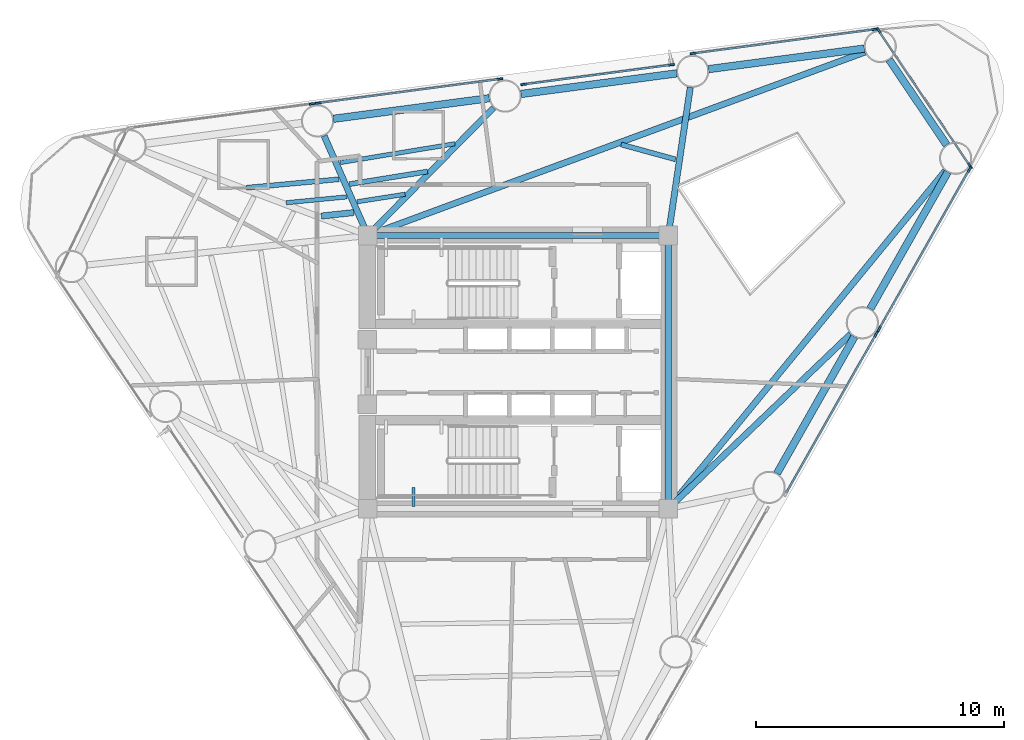
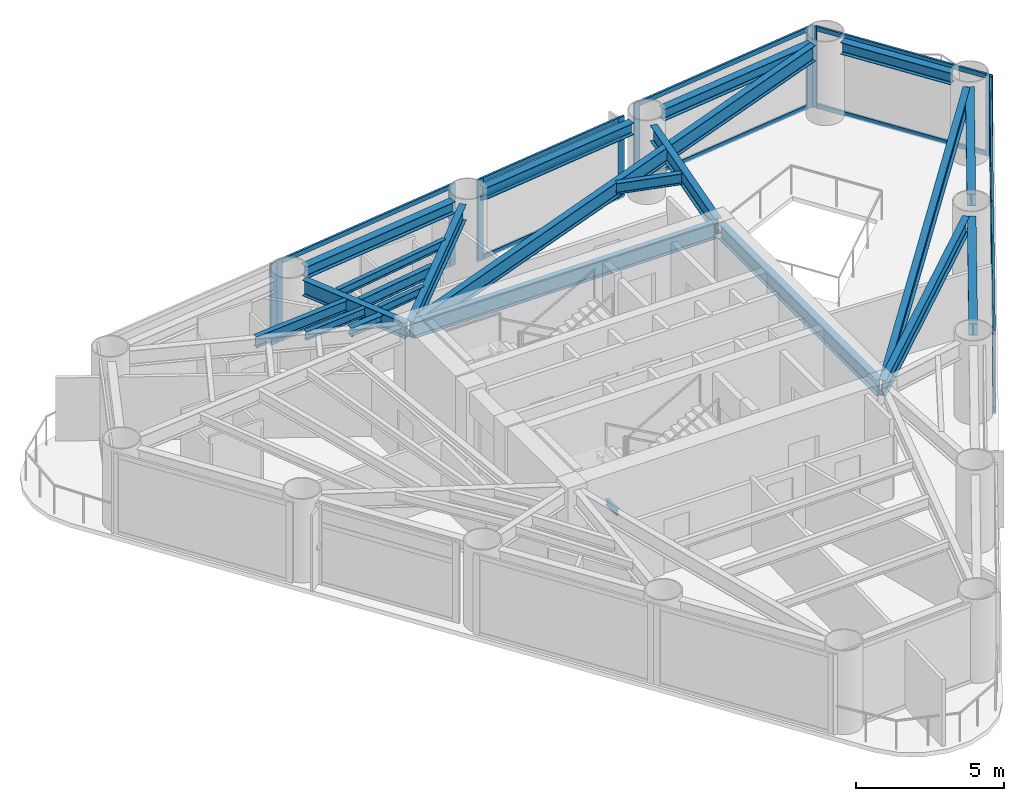
# One storey, part 3 of 9: 25 members, 22 beams, 7 elements without a shape of their own.
"""IFC4 building model written with IfcOpenShell, lengths in metres."""

from ifc_helpers import new_model, si_unit, direction, frame, origin, origin_2d, place, context, subcontext, project, spatial, rectangle, i_section, extrude, source, transform, mapped, material, layer, layer_set, material_profile, profile_set, type_object, element, aggregate, save


model = new_model("IFC4")

# Units and contexts
model_context = context("Model", 3, precision=1e-05, world=origin(), true_north=direction((0.0, 1.0)))
body_context = subcontext(model_context, "Body", "Model", "MODEL_VIEW")
ifc_project = project(units=[si_unit("LENGTHUNIT", "METRE"), si_unit("AREAUNIT", "SQUARE_METRE"), si_unit("VOLUMEUNIT", "CUBIC_METRE"), si_unit("PLANEANGLEUNIT", "RADIAN"), si_unit("MASSUNIT", "GRAM", prefix="KILO")], contexts=[model_context])

# Site, building, storey
site_placement = place(None, origin())
site = spatial("IfcSite", under=ifc_project, at=site_placement, CompositionType="ELEMENT")
building_placement = place(site_placement, origin())
building = spatial("IfcBuilding", under=site, at=building_placement, Name="Yunling Apex Tower", CompositionType="ELEMENT")
storey_placement = place(building_placement, frame((0.0, 0.0, 176.0)))
storey = spatial("IfcBuildingStorey", under=building, at=storey_placement, Name="L43", CompositionType="ELEMENT", Elevation=176.0)

# Beams
ifc_material_1 = material(Name="Steel Q355B", Category="steel")
ifc_material_profile_1 = material_profile(ifc_material_1, i_section(OverallWidth=0.125, OverallDepth=0.25, WebThickness=0.006103515625, FlangeThickness=0.009033203125, FilletRadius=0.011962890625, at=origin_2d()))
ifc_profile_set_1 = profile_set([ifc_material_profile_1], Name="Steel Q355B")
beam_type_1 = type_object("IfcBeamType", Name="BL-LNT-1", PredefinedType="LINTEL", material=ifc_profile_set_1)
shared_shape_1 = source(origin(), body_context, "Body", "SweptSolid", [
    extrude(i_section(OverallWidth=0.125, OverallDepth=0.25, WebThickness=0.006103515625, FlangeThickness=0.009033203125, FilletRadius=0.011962890625, at=origin_2d()), origin(), (0.0, 0.0, 1.0), 0.760009765625),
])
beam_1_placement = place(storey_placement, frame((-4.205078125, -5.419921875, 1.405029296875), z_axis=(0.0, 1.0, 0.0), x_axis=(-1.0, 0.0, 0.0)))
element("IfcBeam", 1, at=beam_1_placement, inside=storey, type_object=beam_type_1, Name="L43 ST-2 Landing Bearing Corbel 1-3", PredefinedType="LINTEL", context=body_context, shape_type="MappedRepresentation", body=[
    mapped(shared_shape_1, transform((0.0, 0.0, 0.0), scale=1.0)),
])
ifc_material_profile_2 = material_profile(ifc_material_1, i_section(OverallWidth=0.25, OverallDepth=0.64990234375, WebThickness=0.011962890625, FlangeThickness=0.02001953125, FilletRadius=0.02392578125, at=origin_2d()))
ifc_profile_set_2 = profile_set([ifc_material_profile_2], Name="Steel Q355B")
beam_type_2 = type_object("IfcBeamType", Name="BG-PRI-4", PredefinedType="USERDEFINED", material=ifc_profile_set_2)
shared_shape_2 = source(origin(), body_context, "Body", "SweptSolid", [
    extrude(i_section(OverallWidth=0.25, OverallDepth=0.64990234375, WebThickness=0.011962890625, FlangeThickness=0.02001953125, FilletRadius=0.02392578125, at=origin_2d()), origin(), (0.0, 0.0, 1.0), 11.7998046875),
])
beam_2_placement = place(storey_placement, frame((5.89990234375, 5.5, 2.945068359375), z_axis=(-1.0, 0.0, 0.0), x_axis=(0.0, -1.0, 0.0)))
element("IfcBeam", 2, at=beam_2_placement, inside=storey, type_object=beam_type_2, Name="L43 Core Ring Tie Beam 3", ObjectType="GIRDER", PredefinedType="USERDEFINED", context=body_context, shape_type="MappedRepresentation", body=[
    mapped(shared_shape_2, transform((0.0, 0.0, 0.0), scale=1.0)),
])
shared_shape_3 = source(origin(), body_context, "Body", "SweptSolid", [
    extrude(i_section(OverallWidth=0.25, OverallDepth=0.64990234375, WebThickness=0.011962890625, FlangeThickness=0.02001953125, FilletRadius=0.02392578125, at=origin_2d()), origin(), (0.0, 0.0, 1.0), 10.7001953125),
])
beam_3_placement = place(storey_placement, frame((6.050048828125, -5.35009765625, 2.945068359375), z_axis=(0.0, 1.0, 0.0), x_axis=(-1.0, 0.0, 0.0)))
element("IfcBeam", 3, at=beam_3_placement, inside=storey, type_object=beam_type_2, Name="L43 Core Ring Tie Beam 2", ObjectType="GIRDER", PredefinedType="USERDEFINED", context=body_context, shape_type="MappedRepresentation", body=[
    mapped(shared_shape_3, transform((0.0, 0.0, 0.0), scale=1.0)),
])
ifc_material_profile_3 = material_profile(ifc_material_1, i_section(OverallWidth=0.300048828125, OverallDepth=0.489990234375, WebThickness=0.010986328125, FlangeThickness=0.01806640625, FilletRadius=0.02197265625, at=origin_2d()))
ifc_profile_set_3 = profile_set([ifc_material_profile_3], Name="Steel Q355B")
beam_type_3 = type_object("IfcBeamType", Name="BP-SPN-2", PredefinedType="SPANDREL", material=ifc_profile_set_3)
shared_shape_4 = source(origin(), body_context, "Body", "SweptSolid", [
    extrude(i_section(OverallWidth=0.300048828125, OverallDepth=0.489990234375, WebThickness=0.010986328125, FlangeThickness=0.01806640625, FilletRadius=0.02197265625, at=origin_2d()), origin(), (0.0, 0.0, 1.0), 6.332763671875),
])
beam_4_placement = place(storey_placement, frame((10.426513671875, -4.087646484375, 3.02490234375), z_axis=(0.493042725972, 0.870005097897, 0.0), x_axis=(-0.870005097897, 0.493042725972, 0.0)))
element("IfcBeam", 4, at=beam_4_placement, inside=storey, type_object=beam_type_3, Name="L43 Perimeter Spandrel Beam 3", PredefinedType="SPANDREL", context=body_context, shape_type="MappedRepresentation", body=[
    mapped(shared_shape_4, transform((0.0, 0.0, 0.0), scale=1.0)),
])
shared_shape_5 = source(origin(), body_context, "Body", "SweptSolid", [
    extrude(i_section(OverallWidth=0.300048828125, OverallDepth=0.489990234375, WebThickness=0.010986328125, FlangeThickness=0.01806640625, FilletRadius=0.02197265625, at=origin_2d()), origin(), (0.0, 0.0, 1.0), 6.33251953125),
])
for number, where, z_axis, x_axis, name in (
    (5, (14.183837890625, 2.54248046875, 3.02490234375), (0.493030081742, 0.870012263418, 0.0), (-0.870012263418, 0.493030081742, 0.0), "L43 Perimeter Spandrel Beam 4"),
    (6, (13.948486328125, 13.029541015625, 3.02490234375), (-0.991351373324, -0.131234349957, 0.0), (0.131234349957, -0.991351373324, 0.0), "L43 Perimeter Spandrel Beam 6"),
    (7, (6.393798828125, 12.029541015625, 3.02490234375), (-0.991351373324, -0.131234349957, 0.0), (0.131234349957, -0.991351373324, 0.0), "L43 Perimeter Spandrel Beam 7"),
    (8, (-1.160888671875, 11.029541015625, 3.02490234375), (-0.991356388343, -0.131196460665, 0.0), (0.131196460665, -0.991356388343, 0.0), "L43 Perimeter Spandrel Beam 8"),
):
    element("IfcBeam", number, at=place(storey_placement, frame(where, z_axis=z_axis, x_axis=x_axis)), inside=storey, type_object=beam_type_3, Name=name, PredefinedType="SPANDREL", context=body_context, shape_type="MappedRepresentation", body=[
        mapped(shared_shape_5, transform((0.0, 0.0, 0.0), scale=1.0)),
    ])
shared_shape_6 = source(origin(), body_context, "Body", "SweptSolid", [
    extrude(i_section(OverallWidth=0.300048828125, OverallDepth=0.489990234375, WebThickness=0.010986328125, FlangeThickness=0.01806640625, FilletRadius=0.02197265625, at=origin_2d()), origin(), (0.0, 0.0, 1.0), 4.142333984375),
])
beam_5_placement = place(storey_placement, frame((17.263427734375, 9.14599609375, 3.02490234375), z_axis=(-0.559207616177, 0.829027648519, 0.0), x_axis=(-0.829027648519, -0.559207616177, 0.0)))
element("IfcBeam", 9, at=beam_5_placement, inside=storey, type_object=beam_type_3, Name="L43 Perimeter Spandrel Beam 5", PredefinedType="SPANDREL", context=body_context, shape_type="MappedRepresentation", body=[
    mapped(shared_shape_6, transform((0.0, 0.0, 0.0), scale=1.0)),
])
shared_shape_7 = source(origin(), body_context, "Body", "SweptSolid", [
    extrude(i_section(OverallWidth=0.25, OverallDepth=0.64990234375, WebThickness=0.011962890625, FlangeThickness=0.02001953125, FilletRadius=0.02392578125, at=origin_2d()), origin(), (0.0, 0.0, 1.0), 10.08203125),
])
beam_6_placement = place(storey_placement, frame((13.39111328125, 1.527099609375, 2.945068359375), z_axis=(-0.722387273854, -0.691488703143, 0.0), x_axis=(0.691488703143, -0.722387273854, 0.0)))
element("IfcBeam", 10, at=beam_6_placement, inside=storey, type_object=beam_type_2, Name="L43 Radial Primary Girder R04", ObjectType="GIRDER", PredefinedType="USERDEFINED", context=body_context, shape_type="MappedRepresentation", body=[
    mapped(shared_shape_7, transform((0.0, 0.0, 0.0), scale=1.0)),
])
shared_shape_8 = source(origin(), body_context, "Body", "SweptSolid", [
    extrude(i_section(OverallWidth=0.25, OverallDepth=0.64990234375, WebThickness=0.011962890625, FlangeThickness=0.02001953125, FilletRadius=0.02392578125, at=origin_2d()), origin(), (0.0, 0.0, 1.0), 17.512939453125),
])
beam_7_placement = place(storey_placement, frame((17.206298828125, 8.103271484375, 2.945068359375), z_axis=(-0.634143770781, -0.773215156331, 0.0), x_axis=(0.773215156331, -0.634143770781, 0.0)))
element("IfcBeam", 11, at=beam_7_placement, inside=storey, type_object=beam_type_2, Name="L43 Radial Primary Girder R05", ObjectType="GIRDER", PredefinedType="USERDEFINED", context=body_context, shape_type="MappedRepresentation", body=[
    mapped(shared_shape_8, transform((0.0, 0.0, 0.0), scale=1.0)),
])
shared_shape_9 = source(origin(), body_context, "Body", "SweptSolid", [
    extrude(i_section(OverallWidth=0.25, OverallDepth=0.64990234375, WebThickness=0.011962890625, FlangeThickness=0.02001953125, FilletRadius=0.02392578125, at=origin_2d()), origin(), (0.0, 0.0, 1.0), 21.258544921875),
])
beam_8_placement = place(storey_placement, frame((13.969482421875, 12.88623046875, 2.945068359375), z_axis=(-0.938179289615, -0.346149708274, 0.0), x_axis=(0.346149708274, -0.938179289615, 0.0)))
element("IfcBeam", 12, at=beam_8_placement, inside=storey, type_object=beam_type_2, Name="L43 Radial Primary Girder R06", ObjectType="GIRDER", PredefinedType="USERDEFINED", context=body_context, shape_type="MappedRepresentation", body=[
    mapped(shared_shape_9, transform((0.0, 0.0, 0.0), scale=1.0)),
])
shared_shape_10 = source(origin(), body_context, "Body", "SweptSolid", [
    extrude(i_section(OverallWidth=0.25, OverallDepth=0.64990234375, WebThickness=0.011962890625, FlangeThickness=0.02001953125, FilletRadius=0.02392578125, at=origin_2d()), origin(), (0.0, 0.0, 1.0), 5.948486328125),
])
beam_9_placement = place(storey_placement, frame((6.935546875, 11.463134765625, 2.945068359375), z_axis=(-0.146889273353, -0.989152941346, 0.0), x_axis=(0.989152941346, -0.146889273353, 0.0)))
element("IfcBeam", 13, at=beam_9_placement, inside=storey, type_object=beam_type_2, Name="L43 Radial Primary Girder R07", ObjectType="GIRDER", PredefinedType="USERDEFINED", context=body_context, shape_type="MappedRepresentation", body=[
    mapped(shared_shape_10, transform((0.0, 0.0, 0.0), scale=1.0)),
])
shared_shape_11 = source(origin(), body_context, "Body", "SweptSolid", [
    extrude(i_section(OverallWidth=0.25, OverallDepth=0.64990234375, WebThickness=0.011962890625, FlangeThickness=0.02001953125, FilletRadius=0.02392578125, at=origin_2d()), origin(), (0.0, 0.0, 1.0), 7.140625),
])
beam_10_placement = place(storey_placement, frame((-0.984130859375, 10.645263671875, 2.945068359375), z_axis=(-0.701580749748, -0.712589960344, 0.0), x_axis=(0.712589960344, -0.701580749748, 0.0)))
element("IfcBeam", 14, at=beam_10_placement, inside=storey, type_object=beam_type_2, Name="L43 Radial Primary Girder R08", ObjectType="GIRDER", PredefinedType="USERDEFINED", context=body_context, shape_type="MappedRepresentation", body=[
    mapped(shared_shape_11, transform((0.0, 0.0, 0.0), scale=1.0)),
])
shared_shape_12 = source(origin(), body_context, "Body", "SweptSolid", [
    extrude(i_section(OverallWidth=0.25, OverallDepth=0.64990234375, WebThickness=0.011962890625, FlangeThickness=0.02001953125, FilletRadius=0.02392578125, at=origin_2d()), origin(), (0.0, 0.0, 1.0), 4.3017578125),
])
beam_11_placement = place(storey_placement, frame((-7.8125, 9.51171875, 2.945068359375), z_axis=(0.402211714237, -0.915546687466, 0.0), x_axis=(0.915546687466, 0.402211714237, 0.0)))
element("IfcBeam", 15, at=beam_11_placement, inside=storey, type_object=beam_type_2, Name="L43 Radial Primary Girder R09", ObjectType="GIRDER", PredefinedType="USERDEFINED", context=body_context, shape_type="MappedRepresentation", body=[
    mapped(shared_shape_12, transform((0.0, 0.0, 0.0), scale=1.0)),
])
ifc_material_profile_4 = material_profile(ifc_material_1, i_section(OverallWidth=0.199951171875, OverallDepth=0.449951171875, WebThickness=0.009033203125, FlangeThickness=0.013916015625, FilletRadius=0.01806640625, at=origin_2d()))
ifc_profile_set_4 = profile_set([ifc_material_profile_4], Name="Steel Q355B")
beam_type_4 = type_object("IfcBeamType", Name="BS-SEC-3", PredefinedType="BEAM", material=ifc_profile_set_4)
shared_shape_13 = source(origin(), body_context, "Body", "SweptSolid", [
    extrude(i_section(OverallWidth=0.199951171875, OverallDepth=0.449951171875, WebThickness=0.009033203125, FlangeThickness=0.013916015625, FilletRadius=0.01806640625, at=origin_2d()), origin(), (0.0, 0.0, 1.0), 2.2734375),
])
beam_12_placement = place(storey_placement, frame((4.151611328125, 9.16455078125, 3.044921875), z_axis=(0.964418538673, -0.264380185081, 0.0), x_axis=(0.264380185081, 0.964418538673, 0.0)))
element("IfcBeam", 16, at=beam_12_placement, inside=storey, type_object=beam_type_4, Name="L43 Composite Floor Beam BS-6", PredefinedType="BEAM", context=body_context, shape_type="MappedRepresentation", body=[
    mapped(shared_shape_13, transform((0.0, 0.0, 0.0), scale=1.0)),
])
shared_shape_14 = source(origin(), body_context, "Body", "SweptSolid", [
    extrude(i_section(OverallWidth=0.199951171875, OverallDepth=0.449951171875, WebThickness=0.009033203125, FlangeThickness=0.013916015625, FilletRadius=0.01806640625, at=origin_2d()), origin(), (0.0, 0.0, 1.0), 3.18310546875),
])
beam_13_placement = place(storey_placement, frame((-3.64697265625, 8.07568359375, 3.044921875), z_axis=(-0.987204533881, -0.159459111642, 0.0), x_axis=(0.159459111642, -0.987204533881, 0.0)))
element("IfcBeam", 17, at=beam_13_placement, inside=storey, type_object=beam_type_4, Name="L43 Composite Floor Beam BS-8", PredefinedType="BEAM", context=body_context, shape_type="MappedRepresentation", body=[
    mapped(shared_shape_14, transform((0.0, 0.0, 0.0), scale=1.0)),
])
ifc_material_profile_5 = material_profile(ifc_material_1, i_section(OverallWidth=0.175048828125, OverallDepth=0.35009765625, WebThickness=0.007080078125, FlangeThickness=0.010986328125, FilletRadius=0.013916015625, at=origin_2d()))
ifc_profile_set_5 = profile_set([ifc_material_profile_5], Name="Steel Q355B")
beam_type_5 = type_object("IfcBeamType", Name="BJ-JST-1", PredefinedType="JOIST", material=ifc_profile_set_5)
shared_shape_15 = source(origin(), body_context, "Body", "SweptSolid", [
    extrude(i_section(OverallWidth=0.175048828125, OverallDepth=0.35009765625, WebThickness=0.007080078125, FlangeThickness=0.010986328125, FilletRadius=0.013916015625, at=origin_2d()), origin(), (0.0, 0.0, 1.0), 4.6875),
])
beam_14_placement = place(storey_placement, frame((-2.544677734375, 9.194580078125, 3.094970703125), z_axis=(-0.986776909696, -0.162084331414, 0.0), x_axis=(0.162084331414, -0.986776909696, 0.0)))
element("IfcBeam", 18, at=beam_14_placement, inside=storey, type_object=beam_type_5, Name="L43 Composite Floor Joist BJ1-8", PredefinedType="JOIST", context=body_context, shape_type="MappedRepresentation", body=[
    mapped(shared_shape_15, transform((0.0, 0.0, 0.0), scale=1.0)),
])
shared_shape_16 = source(origin(), body_context, "Body", "SweptSolid", [
    extrude(i_section(OverallWidth=0.175048828125, OverallDepth=0.35009765625, WebThickness=0.007080078125, FlangeThickness=0.010986328125, FilletRadius=0.013916015625, at=origin_2d()), origin(), (0.0, 0.0, 1.0), 1.952392578125),
])
beam_15_placement = place(storey_placement, frame((-4.548828125, 7.160400390625, 3.094970703125), z_axis=(-0.98796490296, -0.154678216044, 0.0), x_axis=(0.154678216044, -0.98796490296, 0.0)))
element("IfcBeam", 19, at=beam_15_placement, inside=storey, type_object=beam_type_5, Name="L43 Composite Floor Joist BJ3-8", PredefinedType="JOIST", context=body_context, shape_type="MappedRepresentation", body=[
    mapped(shared_shape_16, transform((0.0, 0.0, 0.0), scale=1.0)),
])
shared_shape_17 = source(origin(), body_context, "Body", "SweptSolid", [
    extrude(i_section(OverallWidth=0.199951171875, OverallDepth=0.449951171875, WebThickness=0.009033203125, FlangeThickness=0.013916015625, FilletRadius=0.01806640625, at=origin_2d()), origin(), (0.0, 0.0, 1.0), 3.749755859375),
])
beam_16_placement = place(storey_placement, frame((-7.21044921875, 7.76416015625, 3.044921875), z_axis=(-0.995801444966, -0.091539511711, 0.0), x_axis=(0.091539511711, -0.995801444966, 0.0)))
element("IfcBeam", 20, at=beam_16_placement, inside=storey, type_object=beam_type_4, Name="L43 Composite Floor Beam BS-9", PredefinedType="BEAM", context=body_context, shape_type="MappedRepresentation", body=[
    mapped(shared_shape_17, transform((0.0, 0.0, 0.0), scale=1.0)),
])
shared_shape_18 = source(origin(), body_context, "Body", "SweptSolid", [
    extrude(i_section(OverallWidth=0.175048828125, OverallDepth=0.35009765625, WebThickness=0.007080078125, FlangeThickness=0.010986328125, FilletRadius=0.013916015625, at=origin_2d()), origin(), (0.0, 0.0, 1.0), 2.456787109375),
])
beam_17_placement = place(storey_placement, frame((-6.89892578125, 7.054443359375, 3.094970703125), z_axis=(-0.995362299538, -0.096197155147, 0.0), x_axis=(0.096197155147, -0.995362299538, 0.0)))
element("IfcBeam", 21, at=beam_17_placement, inside=storey, type_object=beam_type_5, Name="L43 Composite Floor Joist BJ3-9", PredefinedType="JOIST", context=body_context, shape_type="MappedRepresentation", body=[
    mapped(shared_shape_18, transform((0.0, 0.0, 0.0), scale=1.0)),
])
ifc_material_profile_6 = material_profile(ifc_material_1, i_section(OverallWidth=0.25, OverallDepth=0.340087890625, WebThickness=0.009033203125, FlangeThickness=0.013916015625, FilletRadius=0.01806640625, at=origin_2d()))
ifc_profile_set_6 = profile_set([ifc_material_profile_6], Name="Steel Q355B")
beam_type_6 = type_object("IfcBeamType", Name="BJ-JST-2", PredefinedType="JOIST", material=ifc_profile_set_6)
shared_shape_19 = source(origin(), body_context, "Body", "SweptSolid", [
    extrude(i_section(OverallWidth=0.25, OverallDepth=0.340087890625, WebThickness=0.009033203125, FlangeThickness=0.013916015625, FilletRadius=0.01806640625, at=origin_2d()), origin(), (0.0, 0.0, 1.0), 1.307373046875),
])
beam_18_placement = place(storey_placement, frame((-6.6220703125, 6.422607421875, 3.10009765625), z_axis=(-0.994297843948, -0.106638630521, 0.0), x_axis=(0.106638630521, -0.994297843948, 0.0)))
element("IfcBeam", 22, at=beam_18_placement, inside=storey, type_object=beam_type_6, Name="L43 Composite Floor Joist BJ2-9", PredefinedType="JOIST", context=body_context, shape_type="MappedRepresentation", body=[
    mapped(shared_shape_19, transform((0.0, 0.0, 0.0), scale=1.0)),
])

# Curtain wall, member
ifc_material_2 = material(Name="Bronze anodised aluminium", Category="aluminium")
ifc_layer = layer(ifc_material_2, 0.239990234375)
ifc_layer_set = layer_set([ifc_layer], Name="Bronze anodised aluminium")
curtain_wall_type = type_object("IfcCurtainWallType", Name="CW-SYS-3", PredefinedType="NOTDEFINED", material=ifc_layer_set)
curtain_wall_1_placement = place(storey_placement, origin())
curtain_wall_1 = element("IfcCurtainWall", 23, at=curtain_wall_1_placement, inside=storey, type_object=curtain_wall_type, Name="CW-L43-F1-B3", PredefinedType="NOTDEFINED")
ifc_material_profile_7 = material_profile(ifc_material_2, rectangle(XDim=0.080078125, YDim=0.239990234375, at=origin_2d()))
ifc_profile_set_7 = profile_set([ifc_material_profile_7], Name="Bronze anodised aluminium")
member_type_1 = type_object("IfcMemberType", Name="CW-MUL-3", PredefinedType="MULLION", material=ifc_profile_set_7)
shared_shape_20 = source(origin(), body_context, "Body", "SweptSolid", [
    extrude(rectangle(XDim=0.080078125, YDim=0.239990234375, at=origin_2d()), origin(), (0.0, 0.0, 1.0), 3.3701171875),
])
member_1_placement = place(storey_placement, frame((14.4248046875, 1.527587890625, -0.050048828125), z_axis=(0.0, 0.0, 1.0), x_axis=(-0.870009345679, 0.493035230416, 0.0)))
member_1 = element("IfcMember", 24, at=member_1_placement, type_object=member_type_1, Name="CW-SYS-3 mullion 2", PredefinedType="MULLION", context=body_context, shape_type="MappedRepresentation", body=[
    mapped(shared_shape_20, transform((0.0, 0.0, 0.0), scale=1.0)),
])

# Curtain wall, members
curtain_wall_2_placement = place(storey_placement, origin())
curtain_wall_2 = element("IfcCurtainWall", 25, at=curtain_wall_2_placement, inside=storey, type_object=curtain_wall_type, Name="CW-L43-F1-B4", PredefinedType="NOTDEFINED")
member_2_placement = place(storey_placement, frame((14.543212890625, 1.736572265625, -0.050048828125), z_axis=(0.0, 0.0, 1.0), x_axis=(-0.870006087438, 0.493040979859, 0.0)))
member_2 = element("IfcMember", 26, at=member_2_placement, type_object=member_type_1, Name="CW-SYS-3 mullion 1", PredefinedType="MULLION", context=body_context, shape_type="MappedRepresentation", body=[
    mapped(shared_shape_20, transform((0.0, 0.0, 0.0), scale=1.0)),
])
member_3_placement = place(storey_placement, frame((18.18212890625, 8.15771484375, -0.050048828125), z_axis=(0.0, 0.0, 1.0), x_axis=(-0.870006087438, 0.493040979859, 0.0)))
member_3 = element("IfcMember", 27, at=member_3_placement, type_object=member_type_1, Name="CW-SYS-3 mullion 2", PredefinedType="MULLION", context=body_context, shape_type="MappedRepresentation", body=[
    mapped(shared_shape_20, transform((0.0, 0.0, 0.0), scale=1.0)),
])

curtain_wall_3_placement = place(storey_placement, origin())
curtain_wall_3 = element("IfcCurtainWall", 28, at=curtain_wall_3_placement, inside=storey, type_object=curtain_wall_type, Name="CW-L43-CRN1", PredefinedType="NOTDEFINED")
member_4_placement = place(storey_placement, frame((18.201416015625, 8.30517578125, -0.050048828125), z_axis=(0.0, 0.0, 1.0), x_axis=(-0.829037677921, -0.559192747259, 0.0)))
member_4 = element("IfcMember", 29, at=member_4_placement, type_object=member_type_1, Name="CW-SYS-3 mullion 1", PredefinedType="MULLION", context=body_context, shape_type="MappedRepresentation", body=[
    mapped(shared_shape_20, transform((0.0, 0.0, 0.0), scale=1.0)),
])
member_5_placement = place(storey_placement, frame((14.518798828125, 13.764892578125, -0.050048828125), z_axis=(0.0, 0.0, 1.0), x_axis=(-0.829037677921, -0.559192747259, 0.0)))
member_5 = element("IfcMember", 30, at=member_5_placement, type_object=member_type_1, Name="CW-SYS-3 mullion 2", PredefinedType="MULLION", context=body_context, shape_type="MappedRepresentation", body=[
    mapped(shared_shape_20, transform((0.0, 0.0, 0.0), scale=1.0)),
])

curtain_wall_4_placement = place(storey_placement, origin())
curtain_wall_4 = element("IfcCurtainWall", 31, at=curtain_wall_4_placement, inside=storey, type_object=curtain_wall_type, Name="CW-L43-F2-B1", PredefinedType="NOTDEFINED")
member_6_placement = place(storey_placement, frame((14.374755859375, 13.80224609375, -0.050048828125), z_axis=(0.0, 0.0, 1.0), x_axis=(0.131222473138, -0.991352945496, 0.0)))
member_6 = element("IfcMember", 32, at=member_6_placement, type_object=member_type_1, Name="CW-SYS-3 mullion 1", PredefinedType="MULLION", context=body_context, shape_type="MappedRepresentation", body=[
    mapped(shared_shape_20, transform((0.0, 0.0, 0.0), scale=1.0)),
])
member_7_placement = place(storey_placement, frame((7.05810546875, 12.833740234375, -0.050048828125), z_axis=(0.0, 0.0, 1.0), x_axis=(0.131222473138, -0.991352945496, 0.0)))
member_7 = element("IfcMember", 33, at=member_7_placement, type_object=member_type_1, Name="CW-SYS-3 mullion 2", PredefinedType="MULLION", context=body_context, shape_type="MappedRepresentation", body=[
    mapped(shared_shape_20, transform((0.0, 0.0, 0.0), scale=1.0)),
])

curtain_wall_5_placement = place(storey_placement, origin())
curtain_wall_5 = element("IfcCurtainWall", 34, at=curtain_wall_5_placement, inside=storey, type_object=curtain_wall_type, Name="CW-L43-F2-B2", PredefinedType="NOTDEFINED")
member_8_placement = place(storey_placement, frame((6.1806640625, 12.37451171875, -0.050048828125), z_axis=(0.0, 0.0, 1.0), x_axis=(0.131204916036, -0.99135526932, 0.0)))
member_8 = element("IfcMember", 35, at=member_8_placement, type_object=member_type_1, Name="CW-SYS-3 mullion 1", PredefinedType="MULLION", context=body_context, shape_type="MappedRepresentation", body=[
    mapped(shared_shape_20, transform((0.0, 0.0, 0.0), scale=1.0)),
])
member_9_placement = place(storey_placement, frame((0.23193359375, 11.587158203125, -0.050048828125), z_axis=(0.0, 0.0, 1.0), x_axis=(0.131204916036, -0.99135526932, 0.0)))
member_9 = element("IfcMember", 36, at=member_9_placement, type_object=member_type_1, Name="CW-SYS-3 mullion 2", PredefinedType="MULLION", context=body_context, shape_type="MappedRepresentation", body=[
    mapped(shared_shape_20, transform((0.0, 0.0, 0.0), scale=1.0)),
])

curtain_wall_6_placement = place(storey_placement, origin())
curtain_wall_6 = element("IfcCurtainWall", 37, at=curtain_wall_6_placement, inside=storey, type_object=curtain_wall_type, Name="CW-L43-F2-B3", PredefinedType="NOTDEFINED")
member_10_placement = place(storey_placement, frame((-0.734619140625, 11.80224609375, -0.050048828125), z_axis=(0.0, 0.0, 1.0), x_axis=(0.13120930019, -0.991354689071, 0.0)))
member_10 = element("IfcMember", 38, at=member_10_placement, type_object=member_type_1, Name="CW-SYS-3 mullion 1", PredefinedType="MULLION", context=body_context, shape_type="MappedRepresentation", body=[
    mapped(shared_shape_20, transform((0.0, 0.0, 0.0), scale=1.0)),
])
member_11_placement = place(storey_placement, frame((-8.05126953125, 10.833740234375, -0.050048828125), z_axis=(0.0, 0.0, 1.0), x_axis=(0.13120930019, -0.991354689071, 0.0)))
member_11 = element("IfcMember", 39, at=member_11_placement, type_object=member_type_1, Name="CW-SYS-3 mullion 2", PredefinedType="MULLION", context=body_context, shape_type="MappedRepresentation", body=[
    mapped(shared_shape_20, transform((0.0, 0.0, 0.0), scale=1.0)),
])

# Curtain wall, member
curtain_wall_7_placement = place(storey_placement, origin())
curtain_wall_7 = element("IfcCurtainWall", 40, at=curtain_wall_7_placement, inside=storey, type_object=curtain_wall_type, Name="CW-L43-F2-B4", PredefinedType="NOTDEFINED")
member_12_placement = place(storey_placement, frame((-8.289306640625, 10.80224609375, -0.050048828125), z_axis=(0.0, 0.0, 1.0), x_axis=(0.131222473138, -0.991352945496, 0.0)))
member_12 = element("IfcMember", 41, at=member_12_placement, type_object=member_type_1, Name="CW-SYS-3 mullion 1", PredefinedType="MULLION", context=body_context, shape_type="MappedRepresentation", body=[
    mapped(shared_shape_20, transform((0.0, 0.0, 0.0), scale=1.0)),
])
aggregate(curtain_wall_7, [member_12])

# Member
ifc_material_profile_8 = material_profile(ifc_material_2, rectangle(XDim=0.080078125, YDim=0.18505859375, at=origin_2d()))
ifc_profile_set_8 = profile_set([ifc_material_profile_8], Name="Bronze anodised aluminium")
member_type_2 = type_object("IfcMemberType", Name="CW-TRN-3", PredefinedType="USERDEFINED", material=ifc_profile_set_8)
shared_shape_21 = source(origin(), body_context, "Body", "SweptSolid", [
    extrude(rectangle(XDim=0.080078125, YDim=0.18505859375, at=origin_2d()), origin(), (0.0, 0.0, 1.0), 5.9287109375),
])
member_13_placement = place(storey_placement, frame((6.14501953125, 12.369873046875, 0.0400390625), z_axis=(-0.991356183804, -0.131198006214, 0.0), x_axis=(0.131198006214, -0.991356183804, 0.0)))
member_13 = element("IfcMember", 42, at=member_13_placement, type_object=member_type_2, Name="CW-SYS-3 transom 1.1", ObjectType="TRANSOM", PredefinedType="USERDEFINED", context=body_context, shape_type="MappedRepresentation", body=[
    mapped(shared_shape_21, transform((0.0, 0.0, 0.0), scale=1.0)),
])

member_14_placement = place(storey_placement, frame((6.14501953125, 12.369873046875, 2.485107421875), z_axis=(-0.991356183804, -0.131198006214, 0.0), x_axis=(0.131198006214, -0.991356183804, 0.0)))
member_14 = element("IfcMember", 43, at=member_14_placement, type_object=member_type_2, Name="CW-SYS-3 transom 1.2", ObjectType="TRANSOM", PredefinedType="USERDEFINED", context=body_context, shape_type="MappedRepresentation", body=[
    mapped(shared_shape_21, transform((0.0, 0.0, 0.0), scale=1.0)),
])

member_15_placement = place(storey_placement, frame((6.14501953125, 12.369873046875, 3.22998046875), z_axis=(-0.991356183804, -0.131198006214, 0.0), x_axis=(0.131198006214, -0.991356183804, 0.0)))
member_15 = element("IfcMember", 44, at=member_15_placement, type_object=member_type_2, Name="CW-SYS-3 transom 1.3", ObjectType="TRANSOM", PredefinedType="USERDEFINED", context=body_context, shape_type="MappedRepresentation", body=[
    mapped(shared_shape_21, transform((0.0, 0.0, 0.0), scale=1.0)),
])

aggregate(curtain_wall_5, [member_8, member_9, member_13, member_14, member_15])

shared_shape_22 = source(origin(), body_context, "Body", "SweptSolid", [
    extrude(rectangle(XDim=0.080078125, YDim=0.18505859375, at=origin_2d()), origin(), (0.0, 0.0, 1.0), 7.308837890625),
])
member_16_placement = place(storey_placement, frame((10.8037109375, -4.8623046875, 0.0400390625), z_axis=(0.493042070546, 0.870005469334, 0.0), x_axis=(-0.870005469334, 0.493042070546, 0.0)))
member_16 = element("IfcMember", 45, at=member_16_placement, type_object=member_type_2, Name="CW-SYS-3 transom 1.1", ObjectType="TRANSOM", PredefinedType="USERDEFINED", context=body_context, shape_type="MappedRepresentation", body=[
    mapped(shared_shape_22, transform((0.0, 0.0, 0.0), scale=1.0)),
])

member_17_placement = place(storey_placement, frame((10.8037109375, -4.8623046875, 3.22998046875), z_axis=(0.493042070546, 0.870005469334, 0.0), x_axis=(-0.870005469334, 0.493042070546, 0.0)))
member_17 = element("IfcMember", 46, at=member_17_placement, type_object=member_type_2, Name="CW-SYS-3 transom 1.2", ObjectType="TRANSOM", PredefinedType="USERDEFINED", context=body_context, shape_type="MappedRepresentation", body=[
    mapped(shared_shape_22, transform((0.0, 0.0, 0.0), scale=1.0)),
])

aggregate(curtain_wall_1, [member_1, member_16, member_17])

member_18_placement = place(storey_placement, frame((14.560791015625, 1.767822265625, 0.0400390625), z_axis=(0.493042070546, 0.870005469334, 0.0), x_axis=(-0.870005469334, 0.493042070546, 0.0)))
member_18 = element("IfcMember", 47, at=member_18_placement, type_object=member_type_2, Name="CW-SYS-3 transom 1.1", ObjectType="TRANSOM", PredefinedType="USERDEFINED", context=body_context, shape_type="MappedRepresentation", body=[
    mapped(shared_shape_22, transform((0.0, 0.0, 0.0), scale=1.0)),
])

member_19_placement = place(storey_placement, frame((14.560791015625, 1.767822265625, 3.22998046875), z_axis=(0.493042070546, 0.870005469334, 0.0), x_axis=(-0.870005469334, 0.493042070546, 0.0)))
member_19 = element("IfcMember", 48, at=member_19_placement, type_object=member_type_2, Name="CW-SYS-3 transom 1.2", ObjectType="TRANSOM", PredefinedType="USERDEFINED", context=body_context, shape_type="MappedRepresentation", body=[
    mapped(shared_shape_22, transform((0.0, 0.0, 0.0), scale=1.0)),
])

aggregate(curtain_wall_2, [member_2, member_3, member_18, member_19])

shared_shape_23 = source(origin(), body_context, "Body", "SweptSolid", [
    extrude(rectangle(XDim=0.080078125, YDim=0.18505859375, at=origin_2d()), origin(), (0.0, 0.0, 1.0), 6.513916015625),
])
member_20_placement = place(storey_placement, frame((18.181396484375, 8.3349609375, 0.0400390625), z_axis=(-0.559206971542, 0.829028083347, 0.0), x_axis=(-0.829028083347, -0.559206971542, 0.0)))
member_20 = element("IfcMember", 49, at=member_20_placement, type_object=member_type_2, Name="CW-SYS-3 transom 1.1", ObjectType="TRANSOM", PredefinedType="USERDEFINED", context=body_context, shape_type="MappedRepresentation", body=[
    mapped(shared_shape_23, transform((0.0, 0.0, 0.0), scale=1.0)),
])

member_21_placement = place(storey_placement, frame((18.181396484375, 8.3349609375, 3.22998046875), z_axis=(-0.559206971542, 0.829028083347, 0.0), x_axis=(-0.829028083347, -0.559206971542, 0.0)))
member_21 = element("IfcMember", 50, at=member_21_placement, type_object=member_type_2, Name="CW-SYS-3 transom 1.2", ObjectType="TRANSOM", PredefinedType="USERDEFINED", context=body_context, shape_type="MappedRepresentation", body=[
    mapped(shared_shape_23, transform((0.0, 0.0, 0.0), scale=1.0)),
])

aggregate(curtain_wall_3, [member_4, member_5, member_20, member_21])

shared_shape_24 = source(origin(), body_context, "Body", "SweptSolid", [
    extrude(rectangle(XDim=0.080078125, YDim=0.18505859375, at=origin_2d()), origin(), (0.0, 0.0, 1.0), 7.30859375),
])
member_22_placement = place(storey_placement, frame((14.339111328125, 13.79736328125, 0.0400390625), z_axis=(-0.991354063091, -0.131214029714, 0.0), x_axis=(0.131214029714, -0.991354063091, 0.0)))
member_22 = element("IfcMember", 51, at=member_22_placement, type_object=member_type_2, Name="CW-SYS-3 transom 1.1", ObjectType="TRANSOM", PredefinedType="USERDEFINED", context=body_context, shape_type="MappedRepresentation", body=[
    mapped(shared_shape_24, transform((0.0, 0.0, 0.0), scale=1.0)),
])

member_23_placement = place(storey_placement, frame((14.339111328125, 13.79736328125, 3.22998046875), z_axis=(-0.991354063091, -0.131214029714, 0.0), x_axis=(0.131214029714, -0.991354063091, 0.0)))
member_23 = element("IfcMember", 52, at=member_23_placement, type_object=member_type_2, Name="CW-SYS-3 transom 1.2", ObjectType="TRANSOM", PredefinedType="USERDEFINED", context=body_context, shape_type="MappedRepresentation", body=[
    mapped(shared_shape_24, transform((0.0, 0.0, 0.0), scale=1.0)),
])

aggregate(curtain_wall_4, [member_6, member_7, member_22, member_23])

member_24_placement = place(storey_placement, frame((-0.770263671875, 11.797607421875, 0.0400390625), z_axis=(-0.991354063091, -0.131214029714, 0.0), x_axis=(0.131214029714, -0.991354063091, 0.0)))
member_24 = element("IfcMember", 53, at=member_24_placement, type_object=member_type_2, Name="CW-SYS-3 transom 1.1", ObjectType="TRANSOM", PredefinedType="USERDEFINED", context=body_context, shape_type="MappedRepresentation", body=[
    mapped(shared_shape_24, transform((0.0, 0.0, 0.0), scale=1.0)),
])

member_25_placement = place(storey_placement, frame((-0.770263671875, 11.797607421875, 3.22998046875), z_axis=(-0.991354063091, -0.131214029714, 0.0), x_axis=(0.131214029714, -0.991354063091, 0.0)))
member_25 = element("IfcMember", 54, at=member_25_placement, type_object=member_type_2, Name="CW-SYS-3 transom 1.2", ObjectType="TRANSOM", PredefinedType="USERDEFINED", context=body_context, shape_type="MappedRepresentation", body=[
    mapped(shared_shape_24, transform((0.0, 0.0, 0.0), scale=1.0)),
])

aggregate(curtain_wall_6, [member_10, member_11, member_24, member_25])

save(model, "model.ifc")
